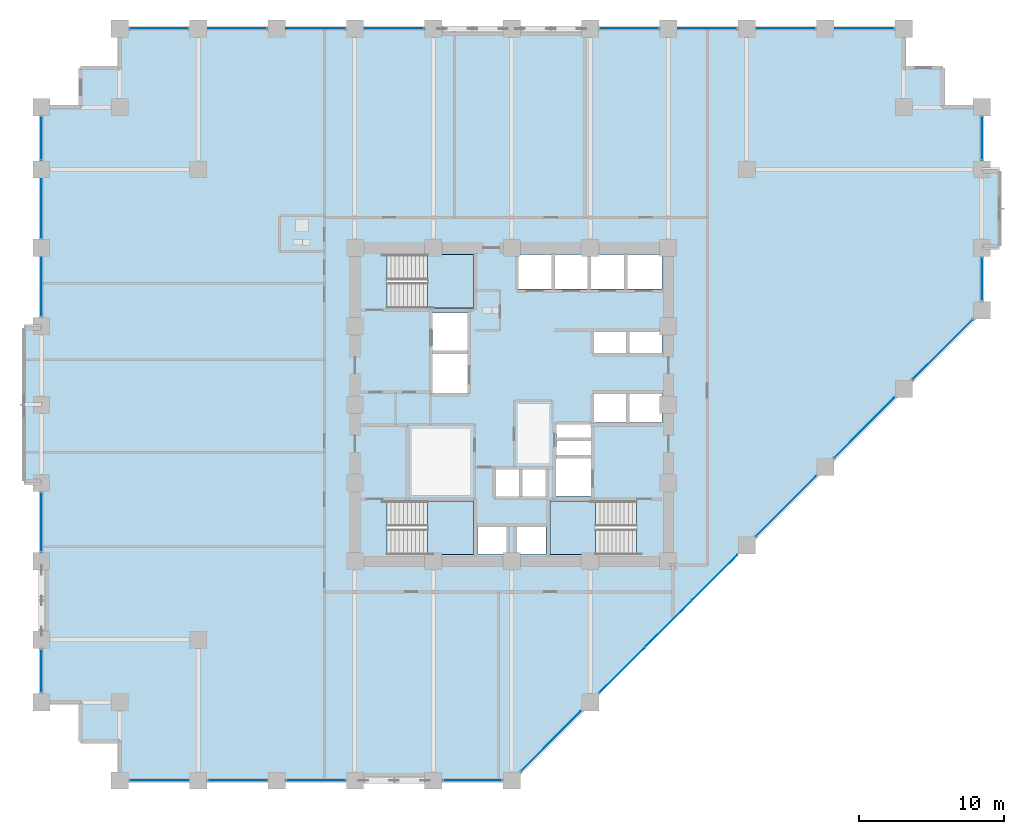
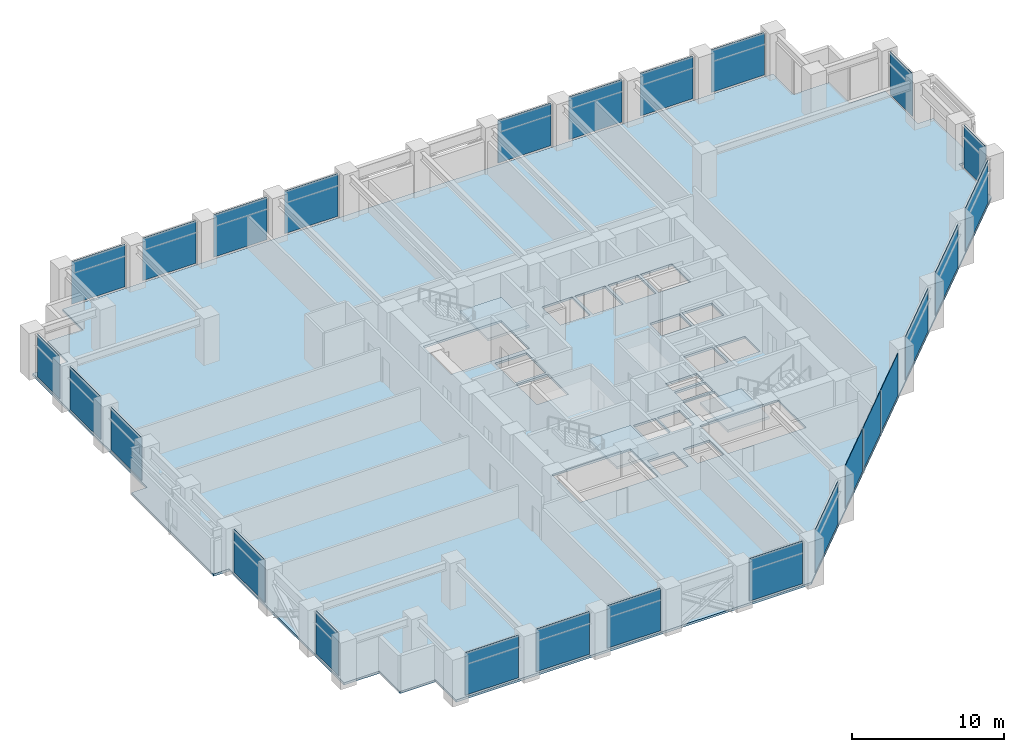
# One storey, part 18 of 26: 26 plates, 4 slabs, 13 elements without a shape of their own.
"""IFC4 building model written with IfcOpenShell, lengths in metres."""

from ifc_helpers import new_model, si_unit, direction, frame, frame_2d, origin, place, context, subcontext, project, spatial, polyline, rectangle, outline, extrude, material, layer, layer_set, type_object, element, aggregate, save


model = new_model("IFC4")

# Units and contexts
model_context = context("Model", 3, precision=1e-05, world=origin(), true_north=direction((0.0, 1.0)))
body_context = subcontext(model_context, "Body", "Model", "MODEL_VIEW")
ifc_project = project(units=[si_unit("LENGTHUNIT", "METRE"), si_unit("AREAUNIT", "SQUARE_METRE"), si_unit("VOLUMEUNIT", "CUBIC_METRE"), si_unit("PLANEANGLEUNIT", "RADIAN"), si_unit("MASSUNIT", "GRAM", prefix="KILO")], contexts=[model_context])

# Site, building, storey
site_placement = place(None, origin())
site = spatial("IfcSite", under=ifc_project, at=site_placement, CompositionType="ELEMENT")
building_placement = place(site_placement, origin())
building = spatial("IfcBuilding", under=site, at=building_placement, Name="Surkhivell Harbour Commons", CompositionType="ELEMENT")
storey_placement = place(building_placement, frame((0.0, 0.0, 60.0)))
storey = spatial("IfcBuildingStorey", under=building, at=storey_placement, Name="L15", CompositionType="ELEMENT", Elevation=60.0)

# Curtain wall, plates
ifc_material_1 = material(Name="Anodised pale-metal aluminium and insulated glazing", Category="aluminium")
ifc_layer_1 = layer(ifc_material_1, 0.219970703125)
ifc_layer_set_1 = layer_set([ifc_layer_1], Name="Anodised pale-metal aluminium and insulated glazing")
curtain_wall_type = type_object("IfcCurtainWallType", Name="CW-SYS-Z1", PredefinedType="NOTDEFINED", material=ifc_layer_set_1)
curtain_wall_1_placement = place(storey_placement, origin())
curtain_wall_1 = element("IfcCurtainWall", 1, at=curtain_wall_1_placement, inside=storey, type_object=curtain_wall_type, Name="L15 Curtain Wall CW-L15-E00S1", PredefinedType="NOTDEFINED")
ifc_material_2 = material(Name="Double-silver low-E laminated vision glass", Category="glass")
ifc_layer_2 = layer(ifc_material_2, 0.031982421875)
ifc_layer_set_2 = layer_set([ifc_layer_2], Name="Double-silver low-E laminated vision glass")
plate_type = type_object("IfcPlateType", Name="CWP-GLZ-32", PredefinedType="CURTAIN_PANEL", material=ifc_layer_set_2)
plate_1_placement = place(storey_placement, frame((-26.322998046875, -25.89990234375, 0.14990234375), z_axis=(0.0, 0.0, 1.0), x_axis=(1.0, 0.0, 0.0)))
plate_1 = element("IfcPlate", 2, at=plate_1_placement, type_object=plate_type, Name="CW-Z1 panel 1.1", PredefinedType="CURTAIN_PANEL", context=body_context, shape_type="SweptSolid", body=[
    extrude(rectangle(XDim=4.0458984375, YDim=0.031982421875, at=frame_2d((2.02294921875, 0.0))), origin(), (0.0, 0.0, 1.0), 3.420166015625),
])
plate_2_placement = place(storey_placement, frame((-20.923095703125, -25.89990234375, 0.14990234375), z_axis=(0.0, 0.0, 1.0), x_axis=(1.0, 0.0, 0.0)))
plate_2 = element("IfcPlate", 3, at=plate_2_placement, type_object=plate_type, Name="CW-Z1 panel 2.1", PredefinedType="CURTAIN_PANEL", context=body_context, shape_type="SweptSolid", body=[
    extrude(rectangle(XDim=4.046142578125, YDim=0.031982421875, at=frame_2d((2.02294921875, 0.0))), origin(), (0.0, 0.0, 1.0), 3.420166015625),
])
plate_3_placement = place(storey_placement, frame((-15.52294921875, -25.89990234375, 0.14990234375), z_axis=(0.0, 0.0, 1.0), x_axis=(1.0, 0.0, 0.0)))
plate_3 = element("IfcPlate", 4, at=plate_3_placement, type_object=plate_type, Name="CW-Z1 panel 3.1", PredefinedType="CURTAIN_PANEL", context=body_context, shape_type="SweptSolid", body=[
    extrude(rectangle(XDim=4.0458984375, YDim=0.031982421875, at=frame_2d((2.02294921875, 0.0))), origin(), (0.0, 0.0, 1.0), 3.420166015625),
])
aggregate(curtain_wall_1, [plate_1, plate_2, plate_3])

# Curtain wall, plate
curtain_wall_2_placement = place(storey_placement, origin())
curtain_wall_2 = element("IfcCurtainWall", 5, at=curtain_wall_2_placement, inside=storey, type_object=curtain_wall_type, Name="L15 Curtain Wall CW-L15-E00S2", PredefinedType="NOTDEFINED")
plate_4_placement = place(storey_placement, frame((-4.722900390625, -25.89990234375, 0.14990234375), z_axis=(0.0, 0.0, 1.0), x_axis=(1.0, 0.0, 0.0)))
plate_4 = element("IfcPlate", 6, at=plate_4_placement, type_object=plate_type, Name="CW-Z1 panel 1.1", PredefinedType="CURTAIN_PANEL", context=body_context, shape_type="SweptSolid", body=[
    extrude(rectangle(XDim=4.0458984375, YDim=0.031982421875, at=frame_2d((2.02294921875, 0.0))), origin(), (0.0, 0.0, 1.0), 3.420166015625),
])
aggregate(curtain_wall_2, [plate_4])

# Curtain wall, plates
curtain_wall_3_placement = place(storey_placement, origin())
curtain_wall_3 = element("IfcCurtainWall", 7, at=curtain_wall_3_placement, inside=storey, type_object=curtain_wall_type, Name="L15 Curtain Wall CW-L15-E01", PredefinedType="NOTDEFINED")
plate_5_placement = place(storey_placement, frame((0.65478515625, -25.2451171875, 0.14990234375), z_axis=(0.0, 0.0, 1.0), x_axis=(0.707106781187, 0.707106781187, 0.0)))
plate_5 = element("IfcPlate", 8, at=plate_5_placement, type_object=plate_type, Name="CW-Z1 panel 1.1", PredefinedType="CURTAIN_PANEL", context=body_context, shape_type="SweptSolid", body=[
    extrude(rectangle(XDim=5.78466796875, YDim=0.031982421875, at=frame_2d((2.892333984375, 0.0))), origin(), (0.0, 0.0, 1.0), 3.420166015625),
])
plate_6_placement = place(storey_placement, frame((6.0546875, -19.84521484375, 0.14990234375), z_axis=(0.0, 0.0, 1.0), x_axis=(0.707106781187, 0.707106781187, 0.0)))
plate_6 = element("IfcPlate", 9, at=plate_6_placement, type_object=plate_type, Name="CW-Z1 panel 2.1", PredefinedType="CURTAIN_PANEL", context=body_context, shape_type="SweptSolid", body=[
    extrude(rectangle(XDim=4.411376953125, YDim=0.031982421875, at=frame_2d((2.20556640625, 0.0))), origin(), (0.0, 0.0, 1.0), 3.420166015625),
])
plate_7_placement = place(storey_placement, frame((9.22705078125, -16.6728515625, 0.14990234375), z_axis=(0.0, 0.0, 1.0), x_axis=(0.707106781187, 0.707106781187, 0.0)))
plate_7 = element("IfcPlate", 10, at=plate_7_placement, type_object=plate_type, Name="CW-Z1 panel 3.1", PredefinedType="CURTAIN_PANEL", context=body_context, shape_type="SweptSolid", body=[
    extrude(rectangle(XDim=4.44873046875, YDim=0.031982421875, at=frame_2d((2.224365234375, 0.0))), origin(), (0.0, 0.0, 1.0), 3.420166015625),
])
plate_8_placement = place(storey_placement, frame((12.426025390625, -13.47412109375, 0.14990234375), z_axis=(0.0, 0.0, 1.0), x_axis=(0.707079108482, 0.707134452808, 0.0)))
plate_8 = element("IfcPlate", 11, at=plate_8_placement, type_object=plate_type, Name="CW-Z1 panel 4.1", PredefinedType="CURTAIN_PANEL", context=body_context, shape_type="SweptSolid", body=[
    extrude(rectangle(XDim=4.411376953125, YDim=0.031982421875, at=frame_2d((2.20556640625, 0.0))), origin(), (0.0, 0.0, 1.0), 3.420166015625),
])
plate_9_placement = place(storey_placement, frame((16.854736328125, -9.045166015625, 0.14990234375), z_axis=(0.0, 0.0, 1.0), x_axis=(0.707127882868, 0.707085678876, 0.0)))
plate_9 = element("IfcPlate", 12, at=plate_9_placement, type_object=plate_type, Name="CW-Z1 panel 5.1", PredefinedType="CURTAIN_PANEL", context=body_context, shape_type="SweptSolid", body=[
    extrude(rectangle(XDim=5.78466796875, YDim=0.031982421875, at=frame_2d((2.892333984375, 0.0))), origin(), (0.0, 0.0, 1.0), 3.420166015625),
])
plate_10_placement = place(storey_placement, frame((22.2548828125, -3.645263671875, 0.14990234375), z_axis=(0.0, 0.0, 1.0), x_axis=(0.707085678876, 0.707127882868, 0.0)))
plate_10 = element("IfcPlate", 13, at=plate_10_placement, type_object=plate_type, Name="CW-Z1 panel 6.1", PredefinedType="CURTAIN_PANEL", context=body_context, shape_type="SweptSolid", body=[
    extrude(rectangle(XDim=5.78466796875, YDim=0.031982421875, at=frame_2d((2.892333984375, 0.0))), origin(), (0.0, 0.0, 1.0), 3.420166015625),
])
plate_11_placement = place(storey_placement, frame((27.65478515625, 1.7548828125, 0.14990234375), z_axis=(0.0, 0.0, 1.0), x_axis=(0.707106781187, 0.707106781187, 0.0)))
plate_11 = element("IfcPlate", 14, at=plate_11_placement, type_object=plate_type, Name="CW-Z1 panel 7.1", PredefinedType="CURTAIN_PANEL", context=body_context, shape_type="SweptSolid", body=[
    extrude(rectangle(XDim=5.78466796875, YDim=0.031982421875, at=frame_2d((2.892333984375, 0.0))), origin(), (0.0, 0.0, 1.0), 3.420166015625),
])
aggregate(curtain_wall_3, [plate_5, plate_6, plate_7, plate_8, plate_9, plate_10, plate_11])

# Curtain wall, plate
curtain_wall_4_placement = place(storey_placement, origin())
curtain_wall_4 = element("IfcCurtainWall", 15, at=curtain_wall_4_placement, inside=storey, type_object=curtain_wall_type, Name="L15 Curtain Wall CW-L15-E02R1", PredefinedType="NOTDEFINED")
plate_12_placement = place(storey_placement, frame((32.39990234375, 7.177001953125, 0.14990234375), z_axis=(0.0, 0.0, 1.0), x_axis=(0.0, 1.0, 0.0)))
plate_12 = element("IfcPlate", 16, at=plate_12_placement, type_object=plate_type, Name="CW-Z1 panel 1.1", PredefinedType="CURTAIN_PANEL", context=body_context, shape_type="SweptSolid", body=[
    extrude(rectangle(XDim=2.946044921875, YDim=0.031982421875, at=frame_2d((1.47314453125, 0.0))), origin(), (0.0, 0.0, 1.0), 3.420166015625),
])
aggregate(curtain_wall_4, [plate_12])

curtain_wall_5_placement = place(storey_placement, origin())
curtain_wall_5 = element("IfcCurtainWall", 17, at=curtain_wall_5_placement, inside=storey, type_object=curtain_wall_type, Name="L15 Curtain Wall CW-L15-E02R2", PredefinedType="NOTDEFINED")
plate_13_placement = place(storey_placement, frame((32.39990234375, 16.876953125, 0.14990234375), z_axis=(0.0, 0.0, 1.0), x_axis=(0.0, 1.0, 0.0)))
plate_13 = element("IfcPlate", 18, at=plate_13_placement, type_object=plate_type, Name="CW-Z1 panel 1.1", PredefinedType="CURTAIN_PANEL", context=body_context, shape_type="SweptSolid", body=[
    extrude(rectangle(XDim=2.946044921875, YDim=0.031982421875, at=frame_2d((1.47314453125, 0.0))), origin(), (0.0, 0.0, 1.0), 3.420166015625),
])
aggregate(curtain_wall_5, [plate_13])

# Curtain wall, plates
curtain_wall_6_placement = place(storey_placement, origin())
curtain_wall_6 = element("IfcCurtainWall", 19, at=curtain_wall_6_placement, inside=storey, type_object=curtain_wall_type, Name="L15 Curtain Wall CW-L15-E07S1", PredefinedType="NOTDEFINED")
plate_14_placement = place(storey_placement, frame((26.322998046875, 25.89990234375, 0.14990234375), z_axis=(0.0, 0.0, 1.0), x_axis=(-1.0, 0.0, 0.0)))
plate_14 = element("IfcPlate", 20, at=plate_14_placement, type_object=plate_type, Name="CW-Z1 panel 1.1", PredefinedType="CURTAIN_PANEL", context=body_context, shape_type="SweptSolid", body=[
    extrude(rectangle(XDim=4.0458984375, YDim=0.031982421875, at=frame_2d((2.02294921875, 0.0))), origin(), (0.0, 0.0, 1.0), 3.420166015625),
])
plate_15_placement = place(storey_placement, frame((20.923095703125, 25.89990234375, 0.14990234375), z_axis=(0.0, 0.0, 1.0), x_axis=(-1.0, 0.0, 0.0)))
plate_15 = element("IfcPlate", 21, at=plate_15_placement, type_object=plate_type, Name="CW-Z1 panel 2.1", PredefinedType="CURTAIN_PANEL", context=body_context, shape_type="SweptSolid", body=[
    extrude(rectangle(XDim=4.046142578125, YDim=0.031982421875, at=frame_2d((2.02294921875, 0.0))), origin(), (0.0, 0.0, 1.0), 3.420166015625),
])
plate_16_placement = place(storey_placement, frame((15.52294921875, 25.89990234375, 0.14990234375), z_axis=(0.0, 0.0, 1.0), x_axis=(-1.0, 0.0, 0.0)))
plate_16 = element("IfcPlate", 22, at=plate_16_placement, type_object=plate_type, Name="CW-Z1 panel 3.1", PredefinedType="CURTAIN_PANEL", context=body_context, shape_type="SweptSolid", body=[
    extrude(rectangle(XDim=4.0458984375, YDim=0.031982421875, at=frame_2d((2.02294921875, 0.0))), origin(), (0.0, 0.0, 1.0), 3.420166015625),
])
plate_17_placement = place(storey_placement, frame((10.123046875, 25.89990234375, 0.14990234375), z_axis=(0.0, 0.0, 1.0), x_axis=(-1.0, 0.0, 0.0)))
plate_17 = element("IfcPlate", 23, at=plate_17_placement, type_object=plate_type, Name="CW-Z1 panel 4.1", PredefinedType="CURTAIN_PANEL", context=body_context, shape_type="SweptSolid", body=[
    extrude(rectangle(XDim=4.046142578125, YDim=0.031982421875, at=frame_2d((2.02294921875, 0.0))), origin(), (0.0, 0.0, 1.0), 3.420166015625),
])
aggregate(curtain_wall_6, [plate_14, plate_15, plate_16, plate_17])

curtain_wall_7_placement = place(storey_placement, origin())
curtain_wall_7 = element("IfcCurtainWall", 24, at=curtain_wall_7_placement, inside=storey, type_object=curtain_wall_type, Name="L15 Curtain Wall CW-L15-E07S2", PredefinedType="NOTDEFINED")
plate_18_placement = place(storey_placement, frame((-6.076904296875, 25.89990234375, 0.14990234375), z_axis=(0.0, 0.0, 1.0), x_axis=(-1.0, 0.0, 0.0)))
plate_18 = element("IfcPlate", 25, at=plate_18_placement, type_object=plate_type, Name="CW-Z1 panel 1.1", PredefinedType="CURTAIN_PANEL", context=body_context, shape_type="SweptSolid", body=[
    extrude(rectangle(XDim=4.046142578125, YDim=0.031982421875, at=frame_2d((2.02294921875, 0.0))), origin(), (0.0, 0.0, 1.0), 3.420166015625),
])
plate_19_placement = place(storey_placement, frame((-11.47705078125, 25.89990234375, 0.14990234375), z_axis=(0.0, 0.0, 1.0), x_axis=(-1.0, 0.0, 0.0)))
plate_19 = element("IfcPlate", 26, at=plate_19_placement, type_object=plate_type, Name="CW-Z1 panel 2.1", PredefinedType="CURTAIN_PANEL", context=body_context, shape_type="SweptSolid", body=[
    extrude(rectangle(XDim=4.0458984375, YDim=0.031982421875, at=frame_2d((2.02294921875, 0.0))), origin(), (0.0, 0.0, 1.0), 3.420166015625),
])
plate_20_placement = place(storey_placement, frame((-16.876953125, 25.89990234375, 0.14990234375), z_axis=(0.0, 0.0, 1.0), x_axis=(-1.0, 0.0, 0.0)))
plate_20 = element("IfcPlate", 27, at=plate_20_placement, type_object=plate_type, Name="CW-Z1 panel 3.1", PredefinedType="CURTAIN_PANEL", context=body_context, shape_type="SweptSolid", body=[
    extrude(rectangle(XDim=4.046142578125, YDim=0.031982421875, at=frame_2d((2.02294921875, 0.0))), origin(), (0.0, 0.0, 1.0), 3.420166015625),
])
plate_21_placement = place(storey_placement, frame((-22.277099609375, 25.89990234375, 0.14990234375), z_axis=(0.0, 0.0, 1.0), x_axis=(-1.0, 0.0, 0.0)))
plate_21 = element("IfcPlate", 28, at=plate_21_placement, type_object=plate_type, Name="CW-Z1 panel 4.1", PredefinedType="CURTAIN_PANEL", context=body_context, shape_type="SweptSolid", body=[
    extrude(rectangle(XDim=4.0458984375, YDim=0.031982421875, at=frame_2d((2.02294921875, 0.0))), origin(), (0.0, 0.0, 1.0), 3.420166015625),
])
aggregate(curtain_wall_7, [plate_18, plate_19, plate_20, plate_21])

# Curtain wall, plate
curtain_wall_8_placement = place(storey_placement, origin())
curtain_wall_8 = element("IfcCurtainWall", 29, at=curtain_wall_8_placement, inside=storey, type_object=curtain_wall_type, Name="L15 Curtain Wall CW-L15-E12R1S1", PredefinedType="NOTDEFINED")
plate_22_placement = place(storey_placement, frame((-32.39990234375, -19.822998046875, 0.14990234375), z_axis=(0.0, 0.0, 1.0), x_axis=(0.0, 1.0, 0.0)))
plate_22 = element("IfcPlate", 30, at=plate_22_placement, type_object=plate_type, Name="CW-Z1 panel 1.1", PredefinedType="CURTAIN_PANEL", context=body_context, shape_type="SweptSolid", body=[
    extrude(rectangle(XDim=2.946044921875, YDim=0.031982421875, at=frame_2d((1.47314453125, 0.0))), origin(), (0.0, 0.0, 1.0), 3.420166015625),
])
aggregate(curtain_wall_8, [plate_22])

curtain_wall_9_placement = place(storey_placement, origin())
curtain_wall_9 = element("IfcCurtainWall", 31, at=curtain_wall_9_placement, inside=storey, type_object=curtain_wall_type, Name="L15 Curtain Wall CW-L15-E12R1S2", PredefinedType="NOTDEFINED")
plate_23_placement = place(storey_placement, frame((-32.39990234375, -10.123046875, 0.14990234375), z_axis=(0.0, 0.0, 1.0), x_axis=(0.0, 1.0, 0.0)))
plate_23 = element("IfcPlate", 32, at=plate_23_placement, type_object=plate_type, Name="CW-Z1 panel 1.1", PredefinedType="CURTAIN_PANEL", context=body_context, shape_type="SweptSolid", body=[
    extrude(rectangle(XDim=4.046142578125, YDim=0.031982421875, at=frame_2d((2.02294921875, 0.0))), origin(), (0.0, 0.0, 1.0), 3.420166015625),
])
aggregate(curtain_wall_9, [plate_23])

# Curtain wall, plates
curtain_wall_10_placement = place(storey_placement, origin())
curtain_wall_10 = element("IfcCurtainWall", 33, at=curtain_wall_10_placement, inside=storey, type_object=curtain_wall_type, Name="L15 Curtain Wall CW-L15-E12R2", PredefinedType="NOTDEFINED")
plate_24_placement = place(storey_placement, frame((-32.39990234375, 6.076904296875, 0.14990234375), z_axis=(0.0, 0.0, 1.0), x_axis=(0.0, 1.0, 0.0)))
plate_24 = element("IfcPlate", 34, at=plate_24_placement, type_object=plate_type, Name="CW-Z1 panel 1.1", PredefinedType="CURTAIN_PANEL", context=body_context, shape_type="SweptSolid", body=[
    extrude(rectangle(XDim=4.046142578125, YDim=0.031982421875, at=frame_2d((2.02294921875, 0.0))), origin(), (0.0, 0.0, 1.0), 3.420166015625),
])
plate_25_placement = place(storey_placement, frame((-32.39990234375, 11.47705078125, 0.14990234375), z_axis=(0.0, 0.0, 1.0), x_axis=(0.0, 1.0, 0.0)))
plate_25 = element("IfcPlate", 35, at=plate_25_placement, type_object=plate_type, Name="CW-Z1 panel 2.1", PredefinedType="CURTAIN_PANEL", context=body_context, shape_type="SweptSolid", body=[
    extrude(rectangle(XDim=4.0458984375, YDim=0.031982421875, at=frame_2d((2.02294921875, 0.0))), origin(), (0.0, 0.0, 1.0), 3.420166015625),
])
plate_26_placement = place(storey_placement, frame((-32.39990234375, 16.876953125, 0.14990234375), z_axis=(0.0, 0.0, 1.0), x_axis=(0.0, 1.0, 0.0)))
plate_26 = element("IfcPlate", 36, at=plate_26_placement, type_object=plate_type, Name="CW-Z1 panel 3.1", PredefinedType="CURTAIN_PANEL", context=body_context, shape_type="SweptSolid", body=[
    extrude(rectangle(XDim=2.946044921875, YDim=0.031982421875, at=frame_2d((1.47314453125, 0.0))), origin(), (0.0, 0.0, 1.0), 3.420166015625),
])
aggregate(curtain_wall_10, [plate_24, plate_25, plate_26])

# Stair, slab
ifc_material_3 = material(Name="Precast concrete C45/55", Category="concrete")
stair_type = type_object("IfcStairType", Name="STR-DL-375", PredefinedType="HALF_TURN_STAIR", material=ifc_material_3)
stair_1_placement = place(storey_placement, origin())
stair_1 = element("IfcStair", 37, at=stair_1_placement, inside=storey, type_object=stair_type, Name="L15 Core Exit Stair ST1", PredefinedType="HALF_TURN_STAIR")
ifc_material_4 = material(Name="Reinforced concrete C45/55", Category="concrete")
ifc_layer_3 = layer(ifc_material_4, 0.199951171875)
ifc_layer_set_3 = layer_set([ifc_layer_3], Name="Reinforced concrete C45/55")
slab_type_1 = type_object("IfcSlabType", Name="SLB-ST-LND200", PredefinedType="LANDING", material=ifc_layer_set_3)
slab_1_placement = place(storey_placement, frame((0.0, 0.0, 1.675048828125)))
slab_1 = element("IfcSlab", 38, at=slab_1_placement, type_object=slab_type_1, Name="ST1 landing 1", PredefinedType="LANDING", context=body_context, shape_type="SweptSolid", body=[
    extrude(outline(polyline([(-5.7900390625, 6.639892578125), (-2.639892578125, 6.639892578125), (-2.639892578125, 10.340087890625), (-5.7900390625, 10.340087890625), (-5.7900390625, 6.639892578125)])), origin(), (0.0, 0.0, 1.0), 0.199951171875),
])
aggregate(stair_1, [slab_1])

stair_2_placement = place(storey_placement, origin())
stair_2 = element("IfcStair", 39, at=stair_2_placement, inside=storey, type_object=stair_type, Name="L15 Core Exit Stair ST2", PredefinedType="HALF_TURN_STAIR")
slab_2_placement = place(storey_placement, frame((0.0, 0.0, 1.675048828125)))
slab_2 = element("IfcSlab", 40, at=slab_2_placement, type_object=slab_type_1, Name="ST2 landing 1", PredefinedType="LANDING", context=body_context, shape_type="SweptSolid", body=[
    extrude(outline(polyline([(5.7900390625, -6.639892578125), (2.639892578125, -6.639892578125), (2.639892578125, -10.340087890625), (5.7900390625, -10.340087890625), (5.7900390625, -6.639892578125)])), origin(), (0.0, 0.0, 1.0), 0.199951171875),
])
aggregate(stair_2, [slab_2])

stair_3_placement = place(storey_placement, origin())
stair_3 = element("IfcStair", 41, at=stair_3_placement, inside=storey, type_object=stair_type, Name="L15 Core Exit Stair ST3", PredefinedType="HALF_TURN_STAIR")
slab_3_placement = place(storey_placement, frame((0.0, 0.0, 1.675048828125)))
slab_3 = element("IfcSlab", 42, at=slab_3_placement, type_object=slab_type_1, Name="ST3 landing 1", PredefinedType="LANDING", context=body_context, shape_type="SweptSolid", body=[
    extrude(outline(polyline([(-5.7900390625, -10.340087890625), (-2.639892578125, -10.340087890625), (-2.639892578125, -6.639892578125), (-5.7900390625, -6.639892578125), (-5.7900390625, -10.340087890625)])), origin(), (0.0, 0.0, 1.0), 0.199951171875),
])
aggregate(stair_3, [slab_3])

# Slab
ifc_material_5 = material(Name="Concrete C45/55", Category="concrete")
ifc_layer_4 = layer(ifc_material_5, 0.179931640625)
ifc_layer_set_4 = layer_set([ifc_layer_4], Name="Concrete C45/55")
slab_type_2 = type_object("IfcSlabType", Name="SLB-TYP-180", PredefinedType="FLOOR", material=ifc_layer_set_4)
slab_4_placement = place(storey_placement, frame((0.0, 0.0, -0.179931640625)))
element("IfcSlab", 43, at=slab_4_placement, inside=storey, type_object=slab_type_2, Name="L15 Structural Floor Slab", PredefinedType="FLOOR", context=body_context, shape_type="SweptSolid", body=[
    extrude(outline(polyline([(-32.39990234375, 20.5), (-32.39990234375, 5.39990234375), (-33.60009765625, 5.39990234375), (-33.60009765625, -5.39990234375), (-32.39990234375, -5.39990234375), (-32.39990234375, -20.5), (-29.699951171875, -20.5), (-29.699951171875, -23.199951171875), (-27.0, -23.199951171875), (-27.0, -25.89990234375), (0.0, -25.89990234375), (32.39990234375, 6.5), (32.39990234375, 10.800048828125), (33.60009765625, 10.800048828125), (33.60009765625, 16.199951171875), (32.39990234375, 16.199951171875), (32.39990234375, 20.5), (29.699951171875, 20.5), (29.699951171875, 23.199951171875), (27.0, 23.199951171875), (27.0, 25.89990234375), (-27.0, 25.89990234375), (-27.0, 23.199951171875), (-29.699951171875, 23.199951171875), (-29.699951171875, 20.5), (-32.39990234375, 20.5)]), holes=[polyline([(-8.590087890625, 6.639892578125), (-2.639892578125, 6.639892578125), (-2.639892578125, 10.340087890625), (-8.590087890625, 10.340087890625), (-8.590087890625, 6.639892578125)]), polyline([(8.590087890625, -6.639892578125), (2.639892578125, -6.639892578125), (2.639892578125, -10.340087890625), (8.590087890625, -10.340087890625), (8.590087890625, -6.639892578125)]), polyline([(-8.590087890625, -10.340087890625), (-2.639892578125, -10.340087890625), (-2.639892578125, -6.639892578125), (-8.590087890625, -6.639892578125), (-8.590087890625, -10.340087890625)]), polyline([(0.449951171875, 7.949951171875), (2.75, 7.949951171875), (2.75, 10.35009765625), (0.449951171875, 10.35009765625), (0.449951171875, 7.949951171875)]), polyline([(2.949951171875, 7.949951171875), (5.25, 7.949951171875), (5.25, 10.35009765625), (2.949951171875, 10.35009765625), (2.949951171875, 7.949951171875)]), polyline([(5.449951171875, 7.949951171875), (7.75, 7.949951171875), (7.75, 10.35009765625), (5.449951171875, 10.35009765625), (5.449951171875, 7.949951171875)]), polyline([(7.949951171875, 7.949951171875), (10.35009765625, 7.949951171875), (10.35009765625, 10.35009765625), (7.949951171875, 10.35009765625), (7.949951171875, 7.949951171875)]), polyline([(5.64990234375, 3.550048828125), (7.89990234375, 3.550048828125), (7.89990234375, 5.14990234375), (5.64990234375, 5.14990234375), (5.64990234375, 3.550048828125)]), polyline([(8.10009765625, 3.550048828125), (10.35009765625, 3.550048828125), (10.35009765625, 5.14990234375), (8.10009765625, 5.14990234375), (8.10009765625, 3.550048828125)]), polyline([(5.64990234375, -1.25), (7.89990234375, -1.25), (7.89990234375, 0.75), (5.64990234375, 0.75), (5.64990234375, -1.25)]), polyline([(8.10009765625, -1.25), (10.35009765625, -1.25), (10.35009765625, 0.75), (8.10009765625, 0.75), (8.10009765625, -1.25)]), polyline([(-1.14990234375, -6.35009765625), (0.550048828125, -6.35009765625), (0.550048828125, -4.449951171875), (-1.14990234375, -4.449951171875), (-1.14990234375, -6.35009765625)]), polyline([(0.679931640625, -6.35009765625), (2.3798828125, -6.35009765625), (2.3798828125, -4.449951171875), (0.679931640625, -4.449951171875), (0.679931640625, -6.35009765625)]), polyline([(-2.35009765625, -10.300048828125), (-0.35009765625, -10.300048828125), (-0.35009765625, -8.39990234375), (-2.35009765625, -8.39990234375), (-2.35009765625, -10.300048828125)]), polyline([(0.35009765625, -10.300048828125), (2.35009765625, -10.300048828125), (2.35009765625, -8.39990234375), (0.35009765625, -8.39990234375), (0.35009765625, -10.300048828125)]), polyline([(-5.449951171875, 3.699951171875), (-3.050048828125, 3.699951171875), (-3.050048828125, 6.300048828125), (-5.449951171875, 6.300048828125), (-5.449951171875, 3.699951171875)]), polyline([(3.050048828125, -6.300048828125), (5.449951171875, -6.300048828125), (5.449951171875, -3.699951171875), (3.050048828125, -3.699951171875), (3.050048828125, -6.300048828125)]), polyline([(-5.449951171875, 0.800048828125), (-3.050048828125, 0.800048828125), (-3.050048828125, 3.5), (-5.449951171875, 3.5), (-5.449951171875, 0.800048828125)]), polyline([(3.10009765625, -3.550048828125), (5.449951171875, -3.550048828125), (5.449951171875, -2.47998046875), (3.10009765625, -2.47998046875), (3.10009765625, -3.550048828125)]), polyline([(3.10009765625, -2.280029296875), (5.449951171875, -2.280029296875), (5.449951171875, -1.35009765625), (3.10009765625, -1.35009765625), (3.10009765625, -2.280029296875)])]), origin(), (0.0, 0.0, 1.0), 0.179931640625),
])

save(model, "model.ifc")
